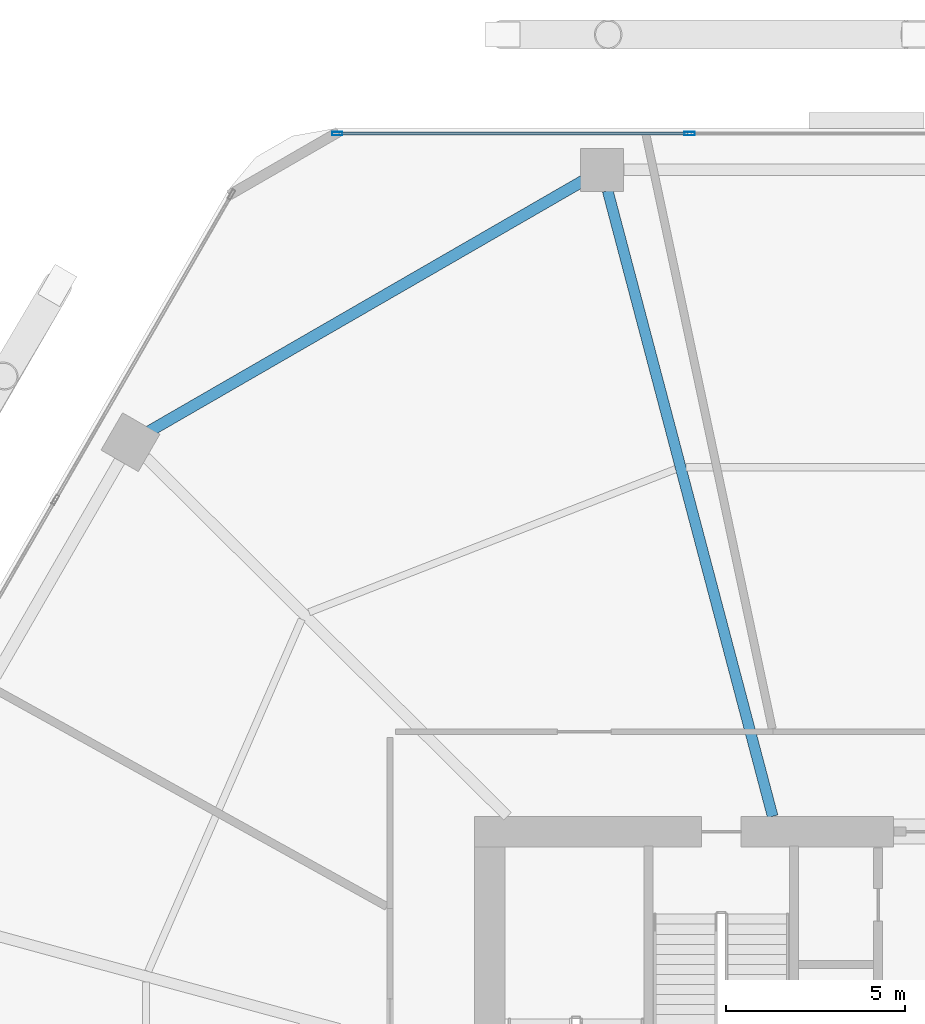
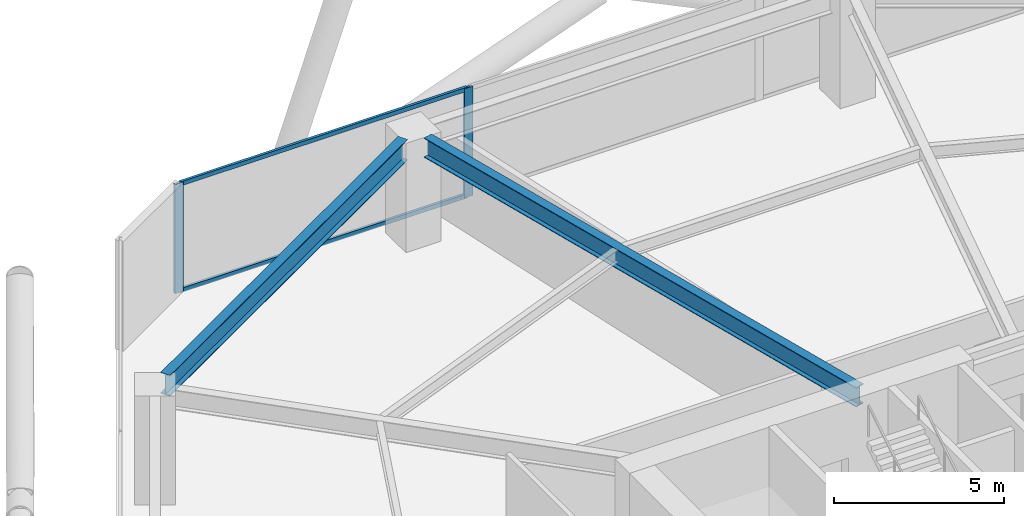
# One storey, part 17 of 30: 4 members, 2 beams, 1 element without a shape of its own.
"""IFC4 building model written with IfcOpenShell, lengths in metres."""

import ifcopenshell
import ifcopenshell.guid

model = None  # the IFC model being written
_history = None  # IfcOwnerHistory: only IFC2X3 demands one
_inside = {}  # id of a spatial element -> (the spatial element, [elements in it])
_under = {}  # id of a project, library or spatial element -> (it, [spatial elements below it])
_declared = {}  # id of a project -> (the project, [libraries it declares])
_typed = {}  # id of a type object -> (the type object, [elements of that type])
_made_of = {}  # id of a material, layer set ... -> (it, [elements and type objects made of it])


def new_model(schema):
    """Start an empty IFC model of exactly this schema.

    Asked for "IFC4X3", IfcOpenShell would pick the latest addendum, in which some entities
    have other attributes; the version numbers below select the first issue.
    IFC2X3 requires an IfcOwnerHistory on every rooted entity: one is made here for all.
    """
    global model, _history
    if schema == "IFC4X3":
        model = ifcopenshell.file(schema_version=(4, 3, 0, 0))
    else:
        model = ifcopenshell.file(schema=schema)
    _inside.clear()
    _under.clear()
    _declared.clear()
    _typed.clear()
    _made_of.clear()
    _history = None
    if model.schema == "IFC2X3":
        org = make("IfcOrganization", Name="unknown")
        user = make(
            "IfcPersonAndOrganization",
            ThePerson=make("IfcPerson", FamilyName="unknown"),
            TheOrganization=org,
        )
        app = make(
            "IfcApplication",
            ApplicationDeveloper=org,
            Version="unknown",
            ApplicationFullName="unknown",
            ApplicationIdentifier="unknown",
        )
        _history = make(
            "IfcOwnerHistory",
            OwningUser=user,
            OwningApplication=app,
            ChangeAction="ADDED",
            CreationDate=0,
        )
    return model


def make(cls, **values):
    """One entity of the class cls with the attributes given. An attribute that is None is left unset."""
    return model.create_entity(
        cls, **{name: value for name, value in values.items() if value is not None}
    )


def rooted(cls, **values):
    """An entity with a GlobalId (a new one), such as an element, a storey or a relation."""
    return make(cls, GlobalId=ifcopenshell.guid.new(), OwnerHistory=_history, **values)


def si_unit(unit_type, name, prefix=None):
    """IfcSIUnit, for example si_unit("LENGTHUNIT", "METRE", prefix="MILLI")."""
    return make("IfcSIUnit", UnitType=unit_type, Prefix=prefix, Name=name)


def assignment(units):
    """IfcUnitAssignment: the units of a project."""
    return None if units is None else make("IfcUnitAssignment", Units=units)


def point(xyz):
    """IfcCartesianPoint."""
    return None if xyz is None else make("IfcCartesianPoint", Coordinates=xyz)


def direction(xyz):
    """IfcDirection."""
    return None if xyz is None else make("IfcDirection", DirectionRatios=xyz)


def frame(location, z_axis=None, x_axis=None):
    """IfcAxis2Placement3D, a coordinate frame: its origin and axes. An axis left out is left unset."""
    return make(
        "IfcAxis2Placement3D",
        Location=point(location),
        Axis=direction(z_axis),
        RefDirection=direction(x_axis),
    )


def frame_2d(location, x_axis=None):
    """IfcAxis2Placement2D, a coordinate frame in the plane: its origin and x axis."""
    return make(
        "IfcAxis2Placement2D", Location=point(location), RefDirection=direction(x_axis)
    )


def origin():
    """The frame at (0, 0, 0) with its axes left unset."""
    return frame((0.0, 0.0, 0.0))


def origin_2d():
    """The frame at (0, 0) in the plane with its x axis left unset."""
    return frame_2d((0.0, 0.0))


def place(relative_to, where):
    """IfcLocalPlacement: puts the frame where relative to a parent placement (None: the world)."""
    return make(
        "IfcLocalPlacement", PlacementRelTo=relative_to, RelativePlacement=where
    )


def context(
    kind, dimensions, precision=None, world=None, true_north=None, identifier=None
):
    """IfcGeometricRepresentationContext, for example the 3D "Model" context."""
    return make(
        "IfcGeometricRepresentationContext",
        ContextIdentifier=identifier,
        ContextType=kind,
        CoordinateSpaceDimension=dimensions,
        Precision=precision,
        WorldCoordinateSystem=world,
        TrueNorth=true_north,
    )


def subcontext(parent, identifier, kind, view, scale=None):
    """IfcGeometricRepresentationSubContext, for example "Body" below "Model"."""
    return make(
        "IfcGeometricRepresentationSubContext",
        ContextIdentifier=identifier,
        ContextType=kind,
        ParentContext=parent,
        TargetScale=scale,
        TargetView=view,
    )


def project(units=None, contexts=None):
    """IfcProject with its units and contexts."""
    return rooted(
        "IfcProject",
        Name="project",
        RepresentationContexts=contexts,
        UnitsInContext=assignment(units),
    )


def spatial(cls, under=None, at=None, **own):
    """A site, building, storey or space (cls), placed at a placement, below another one or the project."""
    s = rooted(cls, ObjectPlacement=at, **own)
    if under is not None:
        _under.setdefault(under.id(), (under, []))[1].append(s)
    return s


def profile(cls, at=None, kind="AREA", **sizes):
    """A parametric profile (cls). Its sizes go by their IFC names, for example OverallWidth=200.0."""
    return make(cls, ProfileType=kind, Position=at, **sizes)


def hollow_rectangle(**sizes):
    """IfcRectangleHollowProfileDef."""
    return profile("IfcRectangleHollowProfileDef", **sizes)


def i_section(**sizes):
    """IfcIShapeProfileDef."""
    return profile("IfcIShapeProfileDef", **sizes)


def extrude(swept, where, along, depth):
    """IfcExtrudedAreaSolid: the profile swept, set in the frame where, extruded along a direction by depth."""
    return make(
        "IfcExtrudedAreaSolid",
        SweptArea=swept,
        Position=where,
        ExtrudedDirection=direction(along),
        Depth=depth,
    )


def shape(context_of_items, identifier, shape_type, items):
    """IfcShapeRepresentation: the items that make up one representation, for example the "Body"."""
    return make(
        "IfcShapeRepresentation",
        ContextOfItems=context_of_items,
        RepresentationIdentifier=identifier,
        RepresentationType=shape_type,
        Items=items,
    )


def material(Name=None, Category=None):
    """IfcMaterial."""
    return make("IfcMaterial", Name=Name, Category=Category)


def material_profile(
    of_material, cross_section, Name=None, Category=None, Priority=None
):
    """IfcMaterialProfile: a cross section and its material."""
    return make(
        "IfcMaterialProfile",
        Name=Name,
        Material=of_material,
        Profile=cross_section,
        Priority=Priority,
        Category=Category,
    )


def profile_set(profiles, Name=None, composite=None):
    """IfcMaterialProfileSet."""
    return make(
        "IfcMaterialProfileSet",
        Name=Name,
        MaterialProfiles=profiles,
        CompositeProfile=composite,
    )


def made_of(thing, what):
    """Note that an element or type object is made of a material, layer set ...; save() writes the relation."""
    if what is not None:
        _made_of.setdefault(what.id(), (what, []))[1].append(thing)
    return thing


def type_object(cls, material=None, **own):
    """A type object (cls), such as IfcWallType, which elements share."""
    return made_of(rooted(cls, **own), material)


def element(
    cls,
    number,
    at=None,
    inside=None,
    cuts=None,
    type_object=None,
    material=None,
    context=None,
    identifier="Body",
    shape_type=None,
    held_by="IfcProductDefinitionShape",
    body=None,
    shapes=None,
    **own,
):
    """One element of the class cls, such as IfcWall. Its Tag is "e" and its number.

    at: its placement. inside: the storey or other place that contains it. cuts: it is an
    opening in that element (IfcRelVoidsElement). A single representation is given by context,
    identifier, shape_type and body (its items); several are given by shapes. held_by: the class
    of the entity that holds the representations. save() writes the other relations.
    """
    e = rooted(cls, Tag="e%d" % number, ObjectPlacement=at, **own)
    if body is not None:
        shapes = [shape(context, identifier, shape_type, body)]
    if shapes is not None:
        e.Representation = make(held_by, Representations=shapes)
    if inside is not None:
        _inside.setdefault(inside.id(), (inside, []))[1].append(e)
    if cuts is not None:
        rooted(
            "IfcRelVoidsElement", RelatingBuildingElement=cuts, RelatedOpeningElement=e
        )
    if type_object is not None:
        _typed.setdefault(type_object.id(), (type_object, []))[1].append(e)
    return made_of(e, material)


def aggregate(whole, parts):
    """IfcRelAggregates: a whole, such as a stair, and the parts it consists of."""
    return rooted("IfcRelAggregates", RelatingObject=whole, RelatedObjects=parts)


def save(model, path):
    """Write the relations noted so far, then the file.

    IfcRelAggregates (storeys below a building ...), IfcRelContainedInSpatialStructure (elements
    in a storey), IfcRelDefinesByType, IfcRelAssociatesMaterial and IfcRelDeclares: one each for
    every whole, place, type object, material and project.
    """
    for whole, parts in _under.values():
        aggregate(whole, parts)
    for where, things in _inside.values():
        rooted(
            "IfcRelContainedInSpatialStructure",
            RelatedElements=things,
            RelatingStructure=where,
        )
    for kind, things in _typed.values():
        rooted("IfcRelDefinesByType", RelatedObjects=things, RelatingType=kind)
    for what, things in _made_of.values():
        rooted("IfcRelAssociatesMaterial", RelatedObjects=things, RelatingMaterial=what)
    for by, libraries in _declared.values():
        rooted("IfcRelDeclares", RelatingContext=by, RelatedDefinitions=libraries)
    model.write(path)


model = new_model("IFC4")

# Units and contexts
model_context = context("Model", 3, precision=1e-05, world=origin(), true_north=direction((0.0, 1.0)))
body_context = subcontext(model_context, "Body", "Model", "MODEL_VIEW")
ifc_project = project(units=[si_unit("LENGTHUNIT", "METRE"), si_unit("AREAUNIT", "SQUARE_METRE"), si_unit("VOLUMEUNIT", "CUBIC_METRE"), si_unit("PLANEANGLEUNIT", "RADIAN"), si_unit("MASSUNIT", "GRAM", prefix="KILO")], contexts=[model_context])

# Site, building, storey
site_placement = place(None, origin())
site = spatial("IfcSite", under=ifc_project, at=site_placement, CompositionType="ELEMENT")
building_placement = place(site_placement, origin())
building = spatial("IfcBuilding", under=site, at=building_placement, Name="Zuhravey Tower", CompositionType="ELEMENT")
storey_placement = place(building_placement, frame((0.0, 0.0, 58.199951171875)))
storey = spatial("IfcBuildingStorey", under=building, at=storey_placement, Name="L14", CompositionType="ELEMENT", Elevation=58.199951171875)

# Curtain wall, members
ifc_material_1 = material(Name="Thermally broken anodised aluminium", Category="aluminium")
curtain_wall_type = type_object("IfcCurtainWallType", Name="School Low-E Unitised Curtain Wall CW1", PredefinedType="NOTDEFINED", material=ifc_material_1)
curtain_wall_placement = place(storey_placement, origin())
curtain_wall = element("IfcCurtainWall", 1, at=curtain_wall_placement, inside=storey, type_object=curtain_wall_type, Name="L14 CW1 CW-L14-F2-1", PredefinedType="NOTDEFINED")
ifc_material_2 = material(Name="Anodised aluminium", Category="aluminium")
ifc_material_profile_1 = material_profile(ifc_material_2, hollow_rectangle(XDim=0.090087890625, YDim=0.284912109375, WallThickness=0.0048828125, at=origin_2d()), Name="ALU-RHS-90x285x5")
ifc_profile_set_1 = profile_set([ifc_material_profile_1], Name="Anodised aluminium")
member_type_1 = type_object("IfcMemberType", Name="Curtain-Wall Mullion 90x180", PredefinedType="MULLION", material=ifc_profile_set_1)
member_1_placement = place(storey_placement, frame((21.24560546875, 60.95849609375, 0.0), z_axis=(0.0, 0.0, 1.0), x_axis=(0.0, 1.0, 0.0)))
member_1 = element("IfcMember", 2, at=member_1_placement, type_object=member_type_1, Name="CW1 mullion 1", PredefinedType="MULLION", context=body_context, shape_type="SweptSolid", body=[
    extrude(hollow_rectangle(XDim=0.090087890625, YDim=0.284912109375, WallThickness=0.0048828125, at=origin_2d()), origin(), (0.0, 0.0, 1.0), 3.920166015625),
])
member_2_placement = place(storey_placement, frame((31.06689453125, 60.95849609375, 0.0), z_axis=(0.0, 0.0, 1.0), x_axis=(0.0, 1.0, 0.0)))
member_2 = element("IfcMember", 3, at=member_2_placement, type_object=member_type_1, Name="CW1 mullion 2", PredefinedType="MULLION", context=body_context, shape_type="SweptSolid", body=[
    extrude(hollow_rectangle(XDim=0.090087890625, YDim=0.284912109375, WallThickness=0.0048828125, at=origin_2d()), origin(), (0.0, 0.0, 1.0), 3.920166015625),
])
ifc_material_profile_2 = material_profile(ifc_material_2, hollow_rectangle(XDim=0.090087890625, YDim=0.14990234375, WallThickness=0.0048828125, at=origin_2d()), Name="ALU-RHS-90x150x5")
ifc_profile_set_2 = profile_set([ifc_material_profile_2], Name="Anodised aluminium")
member_type_2 = type_object("IfcMemberType", Name="Curtain-Wall Transom 90x150", PredefinedType="USERDEFINED", material=ifc_profile_set_2)
member_3_placement = place(storey_placement, frame((21.29052734375, 60.95849609375, 0.045166015625), z_axis=(1.0, 0.0, 0.0), x_axis=(0.0, 1.0, 0.0)))
member_3 = element("IfcMember", 4, at=member_3_placement, type_object=member_type_2, Name="CW1 transom 1.1", ObjectType="TRANSOM", PredefinedType="USERDEFINED", context=body_context, shape_type="SweptSolid", body=[
    extrude(hollow_rectangle(XDim=0.090087890625, YDim=0.14990234375, WallThickness=0.0048828125, at=origin_2d()), origin(), (0.0, 0.0, 1.0), 9.731201171875),
])
member_4_placement = place(storey_placement, frame((21.29052734375, 60.95849609375, 3.875), z_axis=(1.0, 0.0, 0.0), x_axis=(0.0, 1.0, 0.0)))
member_4 = element("IfcMember", 5, at=member_4_placement, type_object=member_type_2, Name="CW1 transom 1.2", ObjectType="TRANSOM", PredefinedType="USERDEFINED", context=body_context, shape_type="SweptSolid", body=[
    extrude(hollow_rectangle(XDim=0.090087890625, YDim=0.14990234375, WallThickness=0.0048828125, at=origin_2d()), origin(), (0.0, 0.0, 1.0), 9.731201171875),
])
aggregate(curtain_wall, [member_1, member_2, member_3, member_4])

# Beams
ifc_material_3 = material(Name="Steel SM355", Category="steel")
ifc_material_profile_3 = material_profile(ifc_material_3, i_section(OverallWidth=0.320068359375, OverallDepth=0.75, WebThickness=0.013916015625, FlangeThickness=0.02490234375, at=origin_2d()), Name="H-750x320x14x25")
ifc_profile_set_3 = profile_set([ifc_material_profile_3], Name="Steel SM355")
beam_type_1 = type_object("IfcBeamType", Name="Perimeter Ring Beam H750x320", PredefinedType="BEAM", material=ifc_profile_set_3)
beam_1_placement = place(storey_placement, frame((28.10791015625, 59.64697265625, 3.545166015625), z_axis=(-0.866029969761, -0.499992091414, 0.0), x_axis=(0.499992091414, -0.866029969761, 0.0)))
element("IfcBeam", 6, at=beam_1_placement, inside=storey, type_object=beam_type_1, Name="L14 PB1 BM-L14-PB-04", PredefinedType="BEAM", context=body_context, shape_type="SweptSolid", body=[
    extrude(i_section(OverallWidth=0.320068359375, OverallDepth=0.75, WebThickness=0.013916015625, FlangeThickness=0.02490234375, at=origin_2d()), origin(), (0.0, 0.0, 1.0), 13.977294921875),
])
ifc_material_profile_4 = material_profile(ifc_material_3, i_section(OverallWidth=0.300048828125, OverallDepth=0.699951171875, WebThickness=0.012939453125, FlangeThickness=0.02392578125, at=origin_2d()), Name="H-700x300x13x24")
ifc_profile_set_4 = profile_set([ifc_material_profile_4], Name="Steel SM355")
beam_type_2 = type_object("IfcBeamType", Name="Radial Primary Girder H700x300", PredefinedType="BEAM", material=ifc_profile_set_4)
beam_2_placement = place(storey_placement, frame((33.382080078125, 41.927978515625, 3.570068359375), z_axis=(-0.254989720435, 0.966943763862, 0.0), x_axis=(-0.966943763862, -0.254989720435, 0.0)))
element("IfcBeam", 7, at=beam_2_placement, inside=storey, type_object=beam_type_2, Name="L14 RG1 BM-L14-RAD-04", PredefinedType="BEAM", context=body_context, shape_type="SweptSolid", body=[
    extrude(i_section(OverallWidth=0.300048828125, OverallDepth=0.699951171875, WebThickness=0.012939453125, FlangeThickness=0.02392578125, at=origin_2d()), origin(), (0.0, 0.0, 1.0), 18.03369140625),
])

save(model, "model.ifc")
